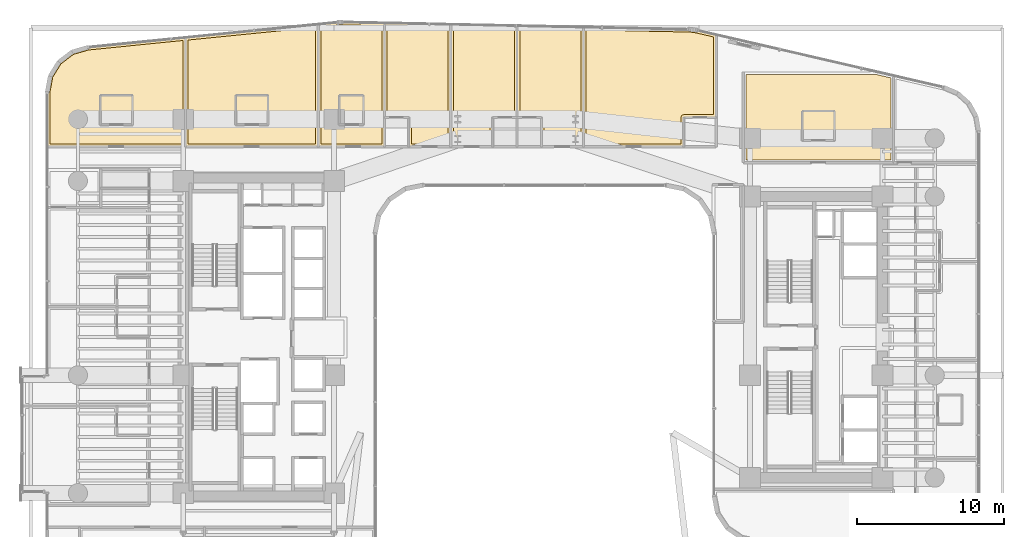
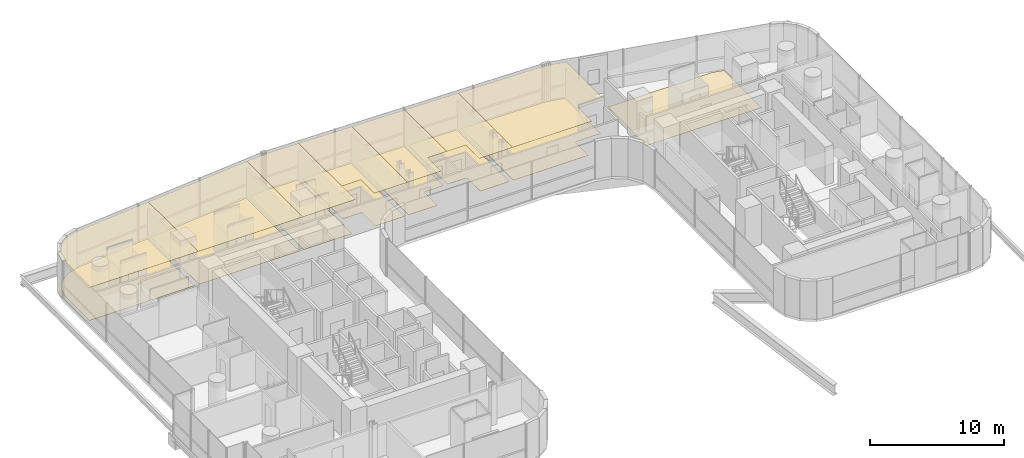
# One storey, part 49 of 50: 15 coverings.
"""IFC4 building model written with IfcOpenShell, lengths in metres."""

from ifc_helpers import new_model, si_unit, direction, frame, origin, place, context, subcontext, project, spatial, polyline, outline, extrude, material, layer, layer_set, type_object, element, save


model = new_model("IFC4")

# Units and contexts
model_context = context("Model", 3, precision=1e-05, world=origin(), true_north=direction((0.0, 1.0)))
body_context = subcontext(model_context, "Body", "Model", "MODEL_VIEW")
ifc_project = project(units=[si_unit("LENGTHUNIT", "METRE"), si_unit("AREAUNIT", "SQUARE_METRE"), si_unit("VOLUMEUNIT", "CUBIC_METRE"), si_unit("PLANEANGLEUNIT", "RADIAN"), si_unit("MASSUNIT", "GRAM", prefix="KILO")], contexts=[model_context])

# Site, building, storey
site_placement = place(None, origin())
site = spatial("IfcSite", under=ifc_project, at=site_placement, CompositionType="ELEMENT")
building_placement = place(site_placement, origin())
building = spatial("IfcBuilding", under=site, at=building_placement, Name="Valdorenza Pilgrim Sanctuary Tower", CompositionType="ELEMENT")
storey_placement = place(building_placement, frame((0.0, 0.0, 26.0)))
storey = spatial("IfcBuildingStorey", under=building, at=storey_placement, Name="L05", CompositionType="ELEMENT", Elevation=26.0)

# Coverings
ifc_material_1 = material(Name="Micro-perforated acoustic mineral ceiling tile", Category="gypsum")
ifc_layer_1 = layer(ifc_material_1, 0.02490234375, Name="Micro-perforated acoustic mineral ceiling tile")
ifc_layer_set_1 = layer_set([ifc_layer_1], Name="Micro-perforated acoustic mineral ceiling tile")
covering_type_1 = type_object("IfcCoveringType", Name="COV-CLG-ACU", PredefinedType="CEILING", material=ifc_layer_set_1)
covering_1_placement = place(storey_placement, frame((0.0, 0.0, 3.159912109375)))
element("IfcCovering", 1, at=covering_1_placement, inside=storey, type_object=covering_type_1, Name="L05 North Guest Room L05-N1 Acoustic Ceiling", PredefinedType="CEILING", context=body_context, shape_type="SweptSolid", body=[
    extrude(outline(polyline([(-31.6962890625, 17.717041015625), (-31.696044921875, 17.718505859375), (-31.695556640625, 17.7197265625), (-31.695068359375, 17.720947265625), (-31.6943359375, 17.72216796875), (-31.102294921875, 18.68408203125), (-31.1015625, 18.685302734375), (-31.100830078125, 18.686279296875), (-31.099853515625, 18.687255859375), (-31.0986328125, 18.688232421875), (-30.20068359375, 19.372802734375), (-30.199462890625, 19.37353515625), (-30.1982421875, 19.374267578125), (-30.197021484375, 19.374755859375), (-30.19580078125, 19.375244140625), (-29.1015625, 19.694091796875), (-29.10009765625, 19.694580078125), (-29.098876953125, 19.694580078125), (-22.491455078125, 20.35546875), (-22.489990234375, 20.35546875), (-22.488525390625, 20.35546875), (-22.487060546875, 20.355224609375), (-22.485595703125, 20.354736328125), (-22.484375, 20.354248046875), (-22.48291015625, 20.353759765625), (-22.481689453125, 20.35302734375), (-22.48046875, 20.35205078125), (-22.4794921875, 20.35107421875), (-22.478515625, 20.35009765625), (-22.4775390625, 20.348876953125), (-22.476806640625, 20.34765625), (-22.47607421875, 20.34619140625), (-22.4755859375, 20.3447265625), (-22.475341796875, 20.343505859375), (-22.47509765625, 20.342041015625), (-22.47509765625, 20.340576171875), (-22.47509765625, 12.919921875), (-22.47509765625, 12.91845703125), (-22.475341796875, 12.9169921875), (-22.4755859375, 12.91552734375), (-22.47607421875, 12.914306640625), (-22.476806640625, 12.912841796875), (-22.4775390625, 12.91162109375), (-22.478515625, 12.910400390625), (-22.4794921875, 12.909423828125), (-22.48046875, 12.908447265625), (-22.481689453125, 12.907470703125), (-22.48291015625, 12.90673828125), (-22.484375, 12.906005859375), (-22.485595703125, 12.905517578125), (-22.487060546875, 12.9052734375), (-22.488525390625, 12.905029296875), (-22.489990234375, 12.905029296875), (-31.889892578125, 12.905029296875), (-31.8916015625, 12.905029296875), (-31.892822265625, 12.9052734375), (-31.894287109375, 12.905517578125), (-31.895751953125, 12.906005859375), (-31.897216796875, 12.90673828125), (-31.898193359375, 12.907470703125), (-31.8994140625, 12.908447265625), (-31.900634765625, 12.909423828125), (-31.901611328125, 12.910400390625), (-31.902587890625, 12.91162109375), (-31.9033203125, 12.912841796875), (-31.90380859375, 12.914306640625), (-31.904296875, 12.91552734375), (-31.90478515625, 12.9169921875), (-31.90478515625, 12.91845703125), (-31.905029296875, 12.919921875), (-31.905029296875, 16.593994140625), (-31.90478515625, 16.59521484375), (-31.90478515625, 16.5966796875), (-31.6962890625, 17.717041015625)])), origin(), (0.0, 0.0, 1.0), 0.025146484375),
])
covering_2_placement = place(storey_placement, frame((0.0, 0.0, 3.159912109375)))
element("IfcCovering", 2, at=covering_2_placement, inside=storey, type_object=covering_type_1, Name="L05 North Guest Room L05-N2 Acoustic Ceiling", PredefinedType="CEILING", context=body_context, shape_type="SweptSolid", body=[
    extrude(outline(polyline([(-22.5029296875, 20.340576171875), (-22.5029296875, 20.341552734375), (-22.502685546875, 20.343017578125), (-22.50244140625, 20.344482421875), (-22.502197265625, 20.345947265625), (-22.50146484375, 20.347412109375), (-22.500732421875, 20.3486328125), (-22.499755859375, 20.349853515625), (-22.498779296875, 20.35107421875), (-22.497802734375, 20.35205078125), (-22.49658203125, 20.35302734375), (-22.495361328125, 20.353759765625), (-22.493896484375, 20.3544921875), (-22.492431640625, 20.35498046875), (-22.490966796875, 20.35546875), (-22.489501953125, 20.355712890625), (-13.4814453125, 21.25634765625), (-13.47998046875, 21.256591796875), (-13.478515625, 21.25634765625), (-13.47705078125, 21.256103515625), (-13.4755859375, 21.255859375), (-13.474365234375, 21.25537109375), (-13.472900390625, 21.254638671875), (-13.4716796875, 21.25390625), (-13.470458984375, 21.253173828125), (-13.469482421875, 21.252197265625), (-13.468505859375, 21.2509765625), (-13.467529296875, 21.249755859375), (-13.466796875, 21.24853515625), (-13.466064453125, 21.247314453125), (-13.465576171875, 21.245849609375), (-13.46533203125, 21.244384765625), (-13.465087890625, 21.242919921875), (-13.465087890625, 21.241455078125), (-13.465087890625, 12.919921875), (-13.465087890625, 12.91845703125), (-13.46533203125, 12.9169921875), (-13.465576171875, 12.91552734375), (-13.466064453125, 12.914306640625), (-13.466796875, 12.912841796875), (-13.467529296875, 12.91162109375), (-13.468505859375, 12.910400390625), (-13.469482421875, 12.909423828125), (-13.470458984375, 12.908447265625), (-13.4716796875, 12.907470703125), (-13.472900390625, 12.90673828125), (-13.474365234375, 12.906005859375), (-13.4755859375, 12.905517578125), (-13.47705078125, 12.9052734375), (-13.478515625, 12.905029296875), (-13.47998046875, 12.905029296875), (-22.488037109375, 12.905029296875), (-22.489501953125, 12.905029296875), (-22.490966796875, 12.9052734375), (-22.492431640625, 12.905517578125), (-22.49365234375, 12.906005859375), (-22.4951171875, 12.90673828125), (-22.496337890625, 12.907470703125), (-22.49755859375, 12.908447265625), (-22.49853515625, 12.909423828125), (-22.49951171875, 12.910400390625), (-22.50048828125, 12.91162109375), (-22.501220703125, 12.912841796875), (-22.501953125, 12.914306640625), (-22.50244140625, 12.91552734375), (-22.502685546875, 12.9169921875), (-22.5029296875, 12.91845703125), (-22.5029296875, 12.919921875), (-22.5029296875, 20.340576171875), (-22.5029296875, 20.340576171875)])), origin(), (0.0, 0.0, 1.0), 0.025146484375),
])
covering_3_placement = place(storey_placement, frame((0.0, 0.0, 3.159912109375)))
element("IfcCovering", 3, at=covering_3_placement, inside=storey, type_object=covering_type_1, Name="L05 North Guest Room L05-N3A Acoustic Ceiling", PredefinedType="CEILING", context=body_context, shape_type="SweptSolid", body=[
    extrude(outline(polyline([(-13.492919921875, 21.241455078125), (-13.492919921875, 21.242431640625), (-13.492919921875, 21.243896484375), (-13.492431640625, 21.24560546875), (-13.4921875, 21.246826171875), (-13.491455078125, 21.248291015625), (-13.49072265625, 21.24951171875), (-13.48974609375, 21.2509765625), (-13.489013671875, 21.251953125), (-13.48779296875, 21.253173828125), (-13.486572265625, 21.25390625), (-13.4853515625, 21.2548828125), (-13.48388671875, 21.255615234375), (-13.482421875, 21.256103515625), (-13.48095703125, 21.25634765625), (-13.4794921875, 21.256591796875), (-12.18359375, 21.38623046875), (-12.183349609375, 21.38623046875), (-12.089599609375, 21.39404296875), (-12.089111328125, 21.39404296875), (-11.996337890625, 21.399169921875), (-11.995849609375, 21.3994140625), (-11.902587890625, 21.401611328125), (-11.90234375, 21.401611328125), (-11.808349609375, 21.40087890625), (-11.80810546875, 21.40087890625), (-8.974609375, 21.342041015625), (-8.97314453125, 21.341796875), (-8.9716796875, 21.341552734375), (-8.970458984375, 21.34130859375), (-8.968994140625, 21.3408203125), (-8.9677734375, 21.340087890625), (-8.966552734375, 21.33935546875), (-8.96533203125, 21.33837890625), (-8.96435546875, 21.33740234375), (-8.96337890625, 21.33642578125), (-8.96240234375, 21.335205078125), (-8.961669921875, 21.333984375), (-8.961181640625, 21.33251953125), (-8.960693359375, 21.331298828125), (-8.960205078125, 21.329833984375), (-8.960205078125, 21.328369140625), (-8.9599609375, 21.326904296875), (-8.9599609375, 12.919921875), (-8.960205078125, 12.91845703125), (-8.960205078125, 12.9169921875), (-8.960693359375, 12.91552734375), (-8.961181640625, 12.914306640625), (-8.9619140625, 12.912841796875), (-8.96240234375, 12.91162109375), (-8.96337890625, 12.910400390625), (-8.96435546875, 12.909423828125), (-8.965576171875, 12.908447265625), (-8.966796875, 12.907470703125), (-8.968017578125, 12.90673828125), (-8.96923828125, 12.906005859375), (-8.970703125, 12.905517578125), (-8.97216796875, 12.9052734375), (-8.973388671875, 12.905029296875), (-8.97509765625, 12.905029296875), (-13.47802734375, 12.905029296875), (-13.4794921875, 12.905029296875), (-13.48095703125, 12.9052734375), (-13.482421875, 12.905517578125), (-13.483642578125, 12.906005859375), (-13.485107421875, 12.90673828125), (-13.486328125, 12.907470703125), (-13.487548828125, 12.908447265625), (-13.488525390625, 12.909423828125), (-13.489501953125, 12.910400390625), (-13.490478515625, 12.91162109375), (-13.4912109375, 12.912841796875), (-13.491943359375, 12.914306640625), (-13.492431640625, 12.91552734375), (-13.49267578125, 12.9169921875), (-13.492919921875, 12.91845703125), (-13.492919921875, 12.919921875), (-13.492919921875, 21.241455078125), (-13.492919921875, 21.241455078125)])), origin(), (0.0, 0.0, 1.0), 0.025146484375),
])
covering_4_placement = place(storey_placement, frame((0.0, 0.0, 3.159912109375)))
element("IfcCovering", 4, at=covering_4_placement, inside=storey, type_object=covering_type_1, Name="L05 North Guest Room L05-N3B Acoustic Ceiling", PredefinedType="CEILING", context=body_context, shape_type="SweptSolid", body=[
    extrude(outline(polyline([(-7.337890625, 14.906982421875), (-8.972900390625, 14.906982421875), (-8.974609375, 14.906982421875), (-8.975830078125, 14.9072265625), (-8.977294921875, 14.90771484375), (-8.978759765625, 14.908203125), (-8.97998046875, 14.90869140625), (-8.981201171875, 14.909423828125), (-8.982421875, 14.910400390625), (-8.983642578125, 14.911376953125), (-8.984619140625, 14.91259765625), (-8.985595703125, 14.913818359375), (-8.986083984375, 14.914794921875), (-8.98681640625, 14.916259765625), (-8.9873046875, 14.91748046875), (-8.98779296875, 14.919189453125), (-8.98779296875, 14.92041015625), (-8.988037109375, 14.922119140625), (-8.988037109375, 21.326904296875), (-8.98779296875, 21.328369140625), (-8.98779296875, 21.329833984375), (-8.9873046875, 21.331298828125), (-8.98681640625, 21.332763671875), (-8.986083984375, 21.333984375), (-8.9853515625, 21.33544921875), (-8.984619140625, 21.336669921875), (-8.9833984375, 21.337646484375), (-8.982421875, 21.338623046875), (-8.981201171875, 21.339599609375), (-8.97998046875, 21.34033203125), (-8.978515625, 21.3408203125), (-8.97705078125, 21.34130859375), (-8.9755859375, 21.341796875), (-8.97412109375, 21.341796875), (-8.97265625, 21.341796875), (-4.4697265625, 21.248046875), (-4.46826171875, 21.248046875), (-4.466796875, 21.247802734375), (-4.46533203125, 21.247314453125), (-4.464111328125, 21.246826171875), (-4.462646484375, 21.24609375), (-4.46142578125, 21.24560546875), (-4.460205078125, 21.24462890625), (-4.459228515625, 21.24365234375), (-4.458251953125, 21.242431640625), (-4.45751953125, 21.241455078125), (-4.456787109375, 21.239990234375), (-4.4560546875, 21.23876953125), (-4.45556640625, 21.2373046875), (-4.455322265625, 21.236083984375), (-4.455078125, 21.234619140625), (-4.455078125, 21.233154296875), (-4.455078125, 12.919921875), (-4.455078125, 12.91845703125), (-4.455322265625, 12.9169921875), (-4.45556640625, 12.91552734375), (-4.4560546875, 12.914306640625), (-4.456787109375, 12.912841796875), (-4.45751953125, 12.91162109375), (-4.45849609375, 12.910400390625), (-4.45947265625, 12.909423828125), (-4.46044921875, 12.908447265625), (-4.461669921875, 12.907470703125), (-4.462890625, 12.90673828125), (-4.46435546875, 12.906005859375), (-4.465576171875, 12.905517578125), (-4.467041015625, 12.9052734375), (-4.468505859375, 12.905029296875), (-4.469970703125, 12.905029296875), (-7.322998046875, 12.905029296875), (-7.324462890625, 12.905029296875), (-7.325927734375, 12.9052734375), (-7.327392578125, 12.905517578125), (-7.32861328125, 12.906005859375), (-7.330078125, 12.90673828125), (-7.331298828125, 12.907470703125), (-7.33251953125, 12.908447265625), (-7.33349609375, 12.909423828125), (-7.334716796875, 12.910400390625), (-7.33544921875, 12.91162109375), (-7.336181640625, 12.912841796875), (-7.3369140625, 12.914306640625), (-7.33740234375, 12.91552734375), (-7.337646484375, 12.9169921875), (-7.337890625, 12.91845703125), (-7.337890625, 12.919921875), (-7.337890625, 14.906982421875)])), origin(), (0.0, 0.0, 1.0), 0.025146484375),
])
covering_5_placement = place(storey_placement, frame((0.0, 0.0, 3.159912109375)))
element("IfcCovering", 5, at=covering_5_placement, inside=storey, type_object=covering_type_1, Name="L05 North Guest Room L05-N4A Acoustic Ceiling", PredefinedType="CEILING", context=body_context, shape_type="SweptSolid", body=[
    extrude(outline(polyline([(-1.60205078125, 14.906982421875), (-1.60205078125, 12.919921875), (-1.60205078125, 12.91845703125), (-1.602294921875, 12.9169921875), (-1.6025390625, 12.91552734375), (-1.60302734375, 12.914306640625), (-1.603759765625, 12.912841796875), (-1.6044921875, 12.91162109375), (-1.60546875, 12.910400390625), (-1.6064453125, 12.909423828125), (-1.607421875, 12.908447265625), (-1.608642578125, 12.907470703125), (-1.60986328125, 12.90673828125), (-1.611328125, 12.906005859375), (-1.612548828125, 12.905517578125), (-1.614013671875, 12.9052734375), (-1.615478515625, 12.905029296875), (-1.616943359375, 12.905029296875), (-4.468017578125, 12.905029296875), (-4.469482421875, 12.905029296875), (-4.470947265625, 12.9052734375), (-4.472412109375, 12.905517578125), (-4.4736328125, 12.906005859375), (-4.47509765625, 12.90673828125), (-4.476318359375, 12.907470703125), (-4.4775390625, 12.908447265625), (-4.478515625, 12.909423828125), (-4.4794921875, 12.910400390625), (-4.48046875, 12.91162109375), (-4.481201171875, 12.912841796875), (-4.48193359375, 12.914306640625), (-4.482421875, 12.91552734375), (-4.482666015625, 12.9169921875), (-4.48291015625, 12.91845703125), (-4.48291015625, 12.919921875), (-4.48291015625, 21.233154296875), (-4.48291015625, 21.234619140625), (-4.482666015625, 21.236083984375), (-4.482421875, 21.237548828125), (-4.481689453125, 21.239013671875), (-4.481201171875, 21.240234375), (-4.48046875, 21.241455078125), (-4.4794921875, 21.24267578125), (-4.478515625, 21.243896484375), (-4.477294921875, 21.244873046875), (-4.476318359375, 21.24560546875), (-4.474853515625, 21.246337890625), (-4.473388671875, 21.2470703125), (-4.47216796875, 21.24755859375), (-4.470703125, 21.247802734375), (-4.46923828125, 21.248046875), (-4.4677734375, 21.248046875), (0.035400390625, 21.154296875), (0.036865234375, 21.154296875), (0.0380859375, 21.15380859375), (0.03955078125, 21.153564453125), (0.041015625, 21.153076171875), (0.042236328125, 21.15234375), (0.04345703125, 21.151611328125), (0.044677734375, 21.150634765625), (0.045654296875, 21.14990234375), (0.046630859375, 21.148681640625), (0.047607421875, 21.1474609375), (0.04833984375, 21.146240234375), (0.048828125, 21.14501953125), (0.04931640625, 21.1435546875), (0.0498046875, 21.14208984375), (0.0498046875, 21.140625), (0.050048828125, 21.139404296875), (0.050048828125, 14.922119140625), (0.0498046875, 14.92041015625), (0.0498046875, 14.919189453125), (0.04931640625, 14.91748046875), (0.048828125, 14.916259765625), (0.048095703125, 14.914794921875), (0.047607421875, 14.913818359375), (0.046630859375, 14.91259765625), (0.045654296875, 14.911376953125), (0.04443359375, 14.910400390625), (0.043212890625, 14.909423828125), (0.0419921875, 14.90869140625), (0.040771484375, 14.908203125), (0.039306640625, 14.90771484375), (0.037841796875, 14.9072265625), (0.03662109375, 14.906982421875), (0.034912109375, 14.906982421875), (-1.60205078125, 14.906982421875)])), origin(), (0.0, 0.0, 1.0), 0.025146484375),
])
covering_6_placement = place(storey_placement, frame((0.0, 0.0, 3.159912109375)))
element("IfcCovering", 6, at=covering_6_placement, inside=storey, type_object=covering_type_1, Name="L05 North Guest Room L05-N4B Acoustic Ceiling", PredefinedType="CEILING", context=body_context, shape_type="SweptSolid", body=[
    extrude(outline(polyline([(1.672119140625, 14.906982421875), (0.037109375, 14.906982421875), (0.035400390625, 14.906982421875), (0.0341796875, 14.9072265625), (0.03271484375, 14.90771484375), (0.03125, 14.908203125), (0.02978515625, 14.90869140625), (0.02880859375, 14.909423828125), (0.027587890625, 14.910400390625), (0.0263671875, 14.911376953125), (0.025390625, 14.91259765625), (0.0244140625, 14.913818359375), (0.023681640625, 14.914794921875), (0.023193359375, 14.916259765625), (0.022705078125, 14.91748046875), (0.022216796875, 14.919189453125), (0.022216796875, 14.92041015625), (0.02197265625, 14.922119140625), (0.02197265625, 21.13916015625), (0.022216796875, 21.140625), (0.022216796875, 21.14208984375), (0.022705078125, 21.1435546875), (0.023193359375, 21.14501953125), (0.023681640625, 21.146484375), (0.024658203125, 21.147705078125), (0.025390625, 21.148681640625), (0.026611328125, 21.14990234375), (0.027587890625, 21.15087890625), (0.02880859375, 21.15185546875), (0.030029296875, 21.152587890625), (0.031494140625, 21.1533203125), (0.032958984375, 21.153564453125), (0.0341796875, 21.154052734375), (0.035888671875, 21.154296875), (0.037353515625, 21.154296875), (4.540283203125, 21.060302734375), (4.541748046875, 21.060302734375), (4.543212890625, 21.06005859375), (4.544677734375, 21.059814453125), (4.5458984375, 21.05908203125), (4.54736328125, 21.05859375), (4.548583984375, 21.057861328125), (4.5498046875, 21.056884765625), (4.55078125, 21.055908203125), (4.5517578125, 21.0546875), (4.552490234375, 21.0537109375), (4.55322265625, 21.052490234375), (4.553955078125, 21.051025390625), (4.554443359375, 21.0498046875), (4.5546875, 21.04833984375), (4.554931640625, 21.046875), (4.554931640625, 21.04541015625), (4.554931640625, 12.919921875), (4.554931640625, 12.91845703125), (4.5546875, 12.9169921875), (4.554443359375, 12.91552734375), (4.553955078125, 12.914306640625), (4.55322265625, 12.912841796875), (4.552490234375, 12.91162109375), (4.551513671875, 12.910400390625), (4.550537109375, 12.909423828125), (4.549560546875, 12.908447265625), (4.54833984375, 12.907470703125), (4.547119140625, 12.90673828125), (4.545654296875, 12.906005859375), (4.54443359375, 12.905517578125), (4.54296875, 12.9052734375), (4.54150390625, 12.905029296875), (4.5400390625, 12.905029296875), (1.68701171875, 12.905029296875), (1.685546875, 12.905029296875), (1.68408203125, 12.9052734375), (1.6826171875, 12.905517578125), (1.681396484375, 12.906005859375), (1.679931640625, 12.90673828125), (1.6787109375, 12.907470703125), (1.677490234375, 12.908447265625), (1.676513671875, 12.909423828125), (1.67529296875, 12.910400390625), (1.674560546875, 12.91162109375), (1.673828125, 12.912841796875), (1.673095703125, 12.914306640625), (1.672607421875, 12.91552734375), (1.67236328125, 12.9169921875), (1.672119140625, 12.91845703125), (1.672119140625, 12.919921875), (1.672119140625, 14.906982421875)])), origin(), (0.0, 0.0, 1.0), 0.025146484375),
])
covering_7_placement = place(storey_placement, frame((0.0, 0.0, 3.159912109375)))
element("IfcCovering", 7, at=covering_7_placement, inside=storey, type_object=covering_type_1, Name="L05 North Guest Room L05-N5 Acoustic Ceiling", PredefinedType="CEILING", context=body_context, shape_type="SweptSolid", body=[
    extrude(outline(polyline([(11.363037109375, 14.906982421875), (11.363037109375, 12.919921875), (11.36279296875, 12.91845703125), (11.36279296875, 12.9169921875), (11.3623046875, 12.91552734375), (11.36181640625, 12.914306640625), (11.361083984375, 12.912841796875), (11.360595703125, 12.91162109375), (11.359619140625, 12.910400390625), (11.358642578125, 12.909423828125), (11.357421875, 12.908447265625), (11.356201171875, 12.907470703125), (11.35498046875, 12.90673828125), (11.353759765625, 12.906005859375), (11.352294921875, 12.905517578125), (11.350830078125, 12.9052734375), (11.349609375, 12.905029296875), (11.347900390625, 12.905029296875), (4.5419921875, 12.905029296875), (4.54052734375, 12.905029296875), (4.5390625, 12.9052734375), (4.53759765625, 12.905517578125), (4.536376953125, 12.906005859375), (4.534912109375, 12.90673828125), (4.53369140625, 12.907470703125), (4.532470703125, 12.908447265625), (4.531494140625, 12.909423828125), (4.530517578125, 12.910400390625), (4.529541015625, 12.91162109375), (4.52880859375, 12.912841796875), (4.528076171875, 12.914306640625), (4.527587890625, 12.91552734375), (4.52734375, 12.9169921875), (4.527099609375, 12.91845703125), (4.527099609375, 12.919921875), (4.527099609375, 21.04541015625), (4.527099609375, 21.046875), (4.52734375, 21.04833984375), (4.527587890625, 21.0498046875), (4.5283203125, 21.05126953125), (4.52880859375, 21.052490234375), (4.529541015625, 21.0537109375), (4.530517578125, 21.054931640625), (4.531494140625, 21.05615234375), (4.53271484375, 21.05712890625), (4.53369140625, 21.057861328125), (4.53515625, 21.05859375), (4.53662109375, 21.059326171875), (4.537841796875, 21.059814453125), (4.539306640625, 21.06005859375), (4.540771484375, 21.060302734375), (4.542236328125, 21.060302734375), (11.666015625, 20.912109375), (11.66650390625, 20.911865234375), (11.82666015625, 20.904296875), (11.827392578125, 20.904296875), (11.98583984375, 20.888916015625), (11.986572265625, 20.888671875), (12.143798828125, 20.864990234375), (12.14453125, 20.864990234375), (12.302001953125, 20.832763671875), (12.30224609375, 20.832763671875), (13.553466796875, 20.5439453125), (13.5546875, 20.543701171875), (13.55615234375, 20.543212890625), (13.557373046875, 20.54248046875), (13.55859375, 20.541748046875), (13.559814453125, 20.540771484375), (13.560791015625, 20.539794921875), (13.561767578125, 20.538818359375), (13.5625, 20.53759765625), (13.563232421875, 20.536376953125), (13.56396484375, 20.534912109375), (13.564453125, 20.53369140625), (13.564697265625, 20.5322265625), (13.56494140625, 20.53076171875), (13.56494140625, 20.529296875), (13.56494140625, 14.922119140625), (13.56494140625, 14.92041015625), (13.564697265625, 14.919189453125), (13.564453125, 14.91748046875), (13.56396484375, 14.916259765625), (13.563232421875, 14.914794921875), (13.5625, 14.913818359375), (13.5615234375, 14.91259765625), (13.560546875, 14.911376953125), (13.5595703125, 14.910400390625), (13.558349609375, 14.909423828125), (13.55712890625, 14.90869140625), (13.5556640625, 14.908203125), (13.554443359375, 14.90771484375), (13.552978515625, 14.9072265625), (13.551513671875, 14.906982421875), (13.550048828125, 14.906982421875), (11.363037109375, 14.906982421875)])), origin(), (0.0, 0.0, 1.0), 0.025146484375),
])
ifc_material_2 = material(Name="Engineered European oak timber flooring", Category="wood")
ifc_layer_2 = layer(ifc_material_2, 0.02197265625, Name="Engineered European oak timber flooring")
ifc_layer_set_2 = layer_set([ifc_layer_2], Name="Engineered European oak timber flooring")
covering_type_2 = type_object("IfcCoveringType", Name="COV-FLR-OAK", PredefinedType="FLOORING", material=ifc_layer_set_2)
covering_8_placement = place(storey_placement, origin())
element("IfcCovering", 8, at=covering_8_placement, inside=storey, type_object=covering_type_2, Name="L05 North Guest Room L05-N1 Flooring", PredefinedType="FLOORING", context=body_context, shape_type="SweptSolid", body=[
    extrude(outline(polyline([(-31.5107421875, 17.6484375), (-30.953857421875, 18.553466796875), (-30.109130859375, 19.197509765625), (-29.06298828125, 19.502197265625), (-22.669921875, 20.1416015625), (-22.669921875, 13.10009765625), (-31.7099609375, 13.10009765625), (-31.7099609375, 16.577392578125), (-31.5107421875, 17.6484375)])), origin(), (0.0, 0.0, 1.0), 0.02490234375),
])
covering_9_placement = place(storey_placement, origin())
element("IfcCovering", 9, at=covering_9_placement, inside=storey, type_object=covering_type_2, Name="L05 North Guest Room L05-N2 Flooring", PredefinedType="FLOORING", context=body_context, shape_type="SweptSolid", body=[
    extrude(outline(polyline([(-13.659912109375, 21.04248046875), (-13.659912109375, 13.10009765625), (-22.30810546875, 13.10009765625), (-22.30810546875, 20.177490234375), (-13.659912109375, 21.04248046875)])), origin(), (0.0, 0.0, 1.0), 0.02490234375),
])
covering_10_placement = place(storey_placement, origin())
element("IfcCovering", 10, at=covering_10_placement, inside=storey, type_object=covering_type_2, Name="L05 North Guest Room L05-N3A Flooring", PredefinedType="FLOORING", context=body_context, shape_type="SweptSolid", body=[
    extrude(outline(polyline([(-12.16552734375, 21.19189453125), (-12.07568359375, 21.19970703125), (-11.98828125, 21.204345703125), (-11.900634765625, 21.20654296875), (-11.810791015625, 21.2060546875), (-9.155029296875, 21.150634765625), (-9.155029296875, 13.10009765625), (-13.298095703125, 13.10009765625), (-13.298095703125, 21.07861328125), (-12.16552734375, 21.19189453125)])), origin(), (0.0, 0.0, 1.0), 0.02490234375),
])
covering_11_placement = place(storey_placement, origin())
element("IfcCovering", 11, at=covering_11_placement, inside=storey, type_object=covering_type_2, Name="L05 North Guest Room L05-N3B Flooring", PredefinedType="FLOORING", context=body_context, shape_type="SweptSolid", body=[
    extrude(outline(polyline([(-7.14306640625, 13.10009765625), (-7.14306640625, 14.919921875), (-7.143310546875, 14.9287109375), (-7.143310546875, 14.928955078125), (-7.14501953125, 14.946533203125), (-7.14501953125, 14.94677734375), (-7.1484375, 14.964111328125), (-7.1484375, 14.96435546875), (-7.153564453125, 14.981201171875), (-7.15380859375, 14.9814453125), (-7.160400390625, 14.997802734375), (-7.160400390625, 14.997802734375), (-7.168701171875, 15.013427734375), (-7.1689453125, 15.013671875), (-7.1787109375, 15.0283203125), (-7.178955078125, 15.028564453125), (-7.190185546875, 15.0419921875), (-7.190185546875, 15.042236328125), (-7.20263671875, 15.0546875), (-7.202880859375, 15.054931640625), (-7.216552734375, 15.066162109375), (-7.216796875, 15.066162109375), (-7.2314453125, 15.076171875), (-7.2314453125, 15.076171875), (-7.2470703125, 15.08447265625), (-7.247314453125, 15.084716796875), (-7.263671875, 15.09130859375), (-7.263916015625, 15.09130859375), (-7.28076171875, 15.096435546875), (-7.281005859375, 15.0966796875), (-7.298095703125, 15.10009765625), (-7.29833984375, 15.10009765625), (-7.31591796875, 15.101806640625), (-7.316162109375, 15.101806640625), (-7.324951171875, 15.10205078125), (-8.79296875, 15.10205078125), (-8.79296875, 21.14306640625), (-4.64990234375, 21.056884765625), (-4.64990234375, 13.10009765625), (-7.14306640625, 13.10009765625)])), origin(), (0.0, 0.0, 1.0), 0.02490234375),
])
covering_12_placement = place(storey_placement, origin())
element("IfcCovering", 12, at=covering_12_placement, inside=storey, type_object=covering_type_2, Name="L05 North Guest Room L05-N4A Flooring", PredefinedType="FLOORING", context=body_context, shape_type="SweptSolid", body=[
    extrude(outline(polyline([(-0.14501953125, 20.962890625), (-0.14501953125, 15.10205078125), (-1.614990234375, 15.10205078125), (-1.623779296875, 15.101806640625), (-1.6240234375, 15.101806640625), (-1.6416015625, 15.10009765625), (-1.641845703125, 15.10009765625), (-1.6591796875, 15.0966796875), (-1.6591796875, 15.096435546875), (-1.67626953125, 15.09130859375), (-1.676513671875, 15.09130859375), (-1.692626953125, 15.084716796875), (-1.69287109375, 15.08447265625), (-1.70849609375, 15.076171875), (-1.70849609375, 15.076171875), (-1.723388671875, 15.066162109375), (-1.723388671875, 15.066162109375), (-1.737060546875, 15.054931640625), (-1.7373046875, 15.0546875), (-1.749755859375, 15.042236328125), (-1.75, 15.0419921875), (-1.760986328125, 15.028564453125), (-1.76123046875, 15.0283203125), (-1.77099609375, 15.013671875), (-1.771240234375, 15.013427734375), (-1.779541015625, 14.997802734375), (-1.779541015625, 14.997802734375), (-1.786376953125, 14.9814453125), (-1.786376953125, 14.981201171875), (-1.79150390625, 14.96435546875), (-1.79150390625, 14.964111328125), (-1.794921875, 14.94677734375), (-1.794921875, 14.946533203125), (-1.796875, 14.928955078125), (-1.796875, 14.9287109375), (-1.797119140625, 14.919921875), (-1.797119140625, 13.10009765625), (-4.2880859375, 13.10009765625), (-4.2880859375, 21.04931640625), (-0.14501953125, 20.962890625)])), origin(), (0.0, 0.0, 1.0), 0.02490234375),
])
covering_13_placement = place(storey_placement, origin())
element("IfcCovering", 13, at=covering_13_placement, inside=storey, type_object=covering_type_2, Name="L05 North Guest Room L05-N4B Flooring", PredefinedType="FLOORING", context=body_context, shape_type="SweptSolid", body=[
    extrude(outline(polyline([(1.866943359375, 13.10009765625), (1.866943359375, 14.919921875), (1.86669921875, 14.9287109375), (1.86669921875, 14.928955078125), (1.864990234375, 14.946533203125), (1.864990234375, 14.94677734375), (1.861572265625, 14.964111328125), (1.861572265625, 14.96435546875), (1.8564453125, 14.981201171875), (1.856201171875, 14.9814453125), (1.849609375, 14.997802734375), (1.849609375, 14.997802734375), (1.84130859375, 15.013427734375), (1.841064453125, 15.013671875), (1.831298828125, 15.0283203125), (1.8310546875, 15.028564453125), (1.81982421875, 15.0419921875), (1.81982421875, 15.042236328125), (1.807373046875, 15.0546875), (1.80712890625, 15.054931640625), (1.79345703125, 15.066162109375), (1.793212890625, 15.066162109375), (1.778564453125, 15.076171875), (1.778564453125, 15.076171875), (1.762939453125, 15.08447265625), (1.7626953125, 15.084716796875), (1.746337890625, 15.09130859375), (1.74609375, 15.09130859375), (1.729248046875, 15.096435546875), (1.72900390625, 15.0966796875), (1.7119140625, 15.10009765625), (1.711669921875, 15.10009765625), (1.694091796875, 15.101806640625), (1.69384765625, 15.101806640625), (1.68505859375, 15.10205078125), (0.217041015625, 15.10205078125), (0.217041015625, 20.955322265625), (4.360107421875, 20.869140625), (4.360107421875, 13.10009765625), (1.866943359375, 13.10009765625)])), origin(), (0.0, 0.0, 1.0), 0.02490234375),
])
covering_14_placement = place(storey_placement, origin())
element("IfcCovering", 14, at=covering_14_placement, inside=storey, type_object=covering_type_2, Name="L05 North Guest Room L05-N5 Flooring", PredefinedType="FLOORING", context=body_context, shape_type="SweptSolid", body=[
    extrude(outline(polyline([(11.65966796875, 20.717041015625), (11.81298828125, 20.7099609375), (11.962158203125, 20.6953125), (12.110107421875, 20.6728515625), (12.2607421875, 20.64208984375), (13.3701171875, 20.38623046875), (13.3701171875, 15.10205078125), (11.35009765625, 15.10205078125), (11.34130859375, 15.101806640625), (11.341064453125, 15.101806640625), (11.323486328125, 15.10009765625), (11.3232421875, 15.10009765625), (11.305908203125, 15.0966796875), (11.3056640625, 15.096435546875), (11.288818359375, 15.09130859375), (11.28857421875, 15.09130859375), (11.272216796875, 15.084716796875), (11.272216796875, 15.08447265625), (11.256591796875, 15.076171875), (11.25634765625, 15.076171875), (11.24169921875, 15.066162109375), (11.241455078125, 15.066162109375), (11.227783203125, 15.054931640625), (11.227783203125, 15.0546875), (11.215087890625, 15.042236328125), (11.215087890625, 15.0419921875), (11.203857421875, 15.028564453125), (11.203857421875, 15.0283203125), (11.19384765625, 15.013671875), (11.19384765625, 15.013427734375), (11.185546875, 14.997802734375), (11.185302734375, 14.997802734375), (11.1787109375, 14.9814453125), (11.1787109375, 14.981201171875), (11.173583984375, 14.96435546875), (11.17333984375, 14.964111328125), (11.169921875, 14.94677734375), (11.169921875, 14.946533203125), (11.168212890625, 14.928955078125), (11.168212890625, 14.9287109375), (11.16796875, 14.919921875), (11.16796875, 13.10009765625), (4.721923828125, 13.10009765625), (4.721923828125, 20.861572265625), (11.65966796875, 20.717041015625)])), origin(), (0.0, 0.0, 1.0), 0.02490234375),
])
covering_15_placement = place(storey_placement, origin())
element("IfcCovering", 15, at=covering_15_placement, inside=storey, type_object=covering_type_2, Name="L05 East North Guest Room L05-EN1 Flooring", PredefinedType="FLOORING", context=body_context, shape_type="SweptSolid", body=[
    extrude(outline(polyline([(24.490234375, 17.820068359375), (25.419921875, 17.60546875), (25.419921875, 12.030029296875), (15.580078125, 12.030029296875), (15.580078125, 17.820068359375), (24.490234375, 17.820068359375)])), origin(), (0.0, 0.0, 1.0), 0.02490234375),
])

save(model, "model.ifc")
